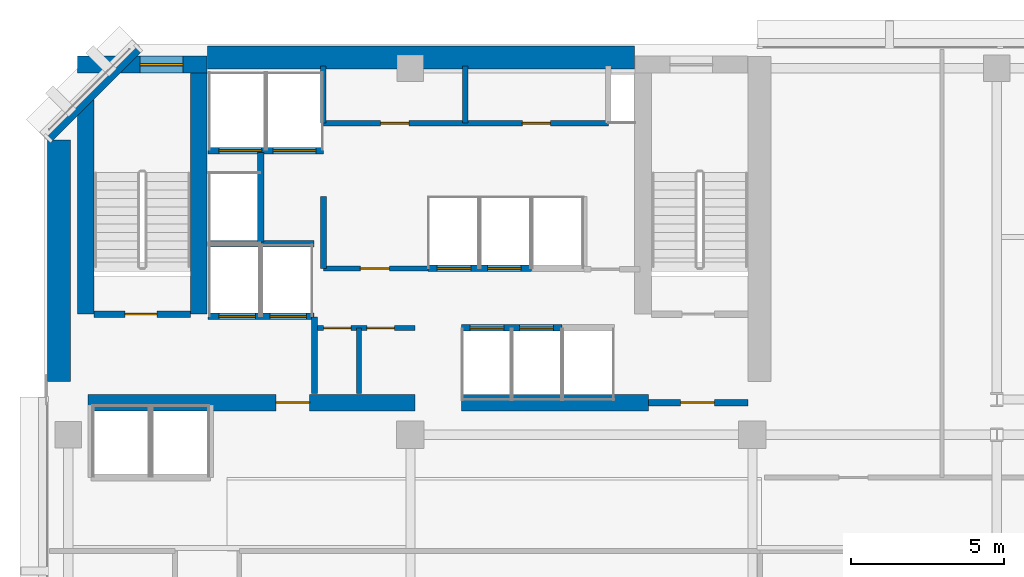
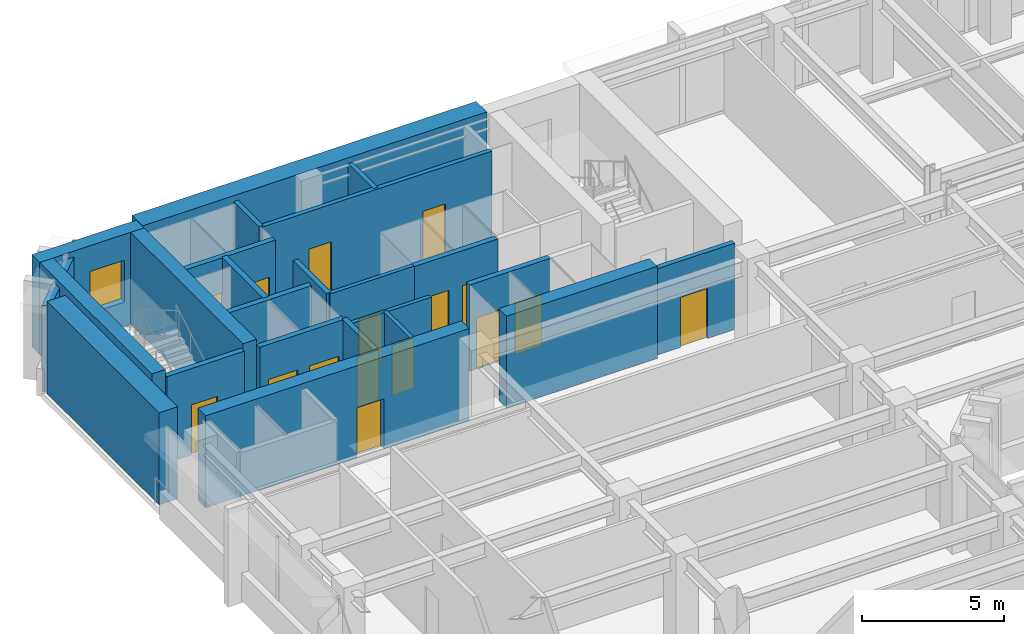
# One storey, part 7 of 11: 24 walls, 16 doors, 1 window, 17 openings.
"""IFC4 building model written with IfcOpenShell, lengths in metres."""

from ifc_helpers import new_model, si_unit, direction, frame, frame_2d, origin, place, context, subcontext, project, spatial, rectangle, extrude, material, layer, layer_set, type_object, element, fill, save


model = new_model("IFC4")

# Units and contexts
model_context = context("Model", 3, precision=1e-05, world=origin(), true_north=direction((0.0, 1.0)))
body_context = subcontext(model_context, "Body", "Model", "MODEL_VIEW")
ifc_project = project(units=[si_unit("LENGTHUNIT", "METRE"), si_unit("AREAUNIT", "SQUARE_METRE"), si_unit("VOLUMEUNIT", "CUBIC_METRE"), si_unit("PLANEANGLEUNIT", "RADIAN"), si_unit("MASSUNIT", "GRAM", prefix="KILO")], contexts=[model_context])

# Site, building, storey
site_placement = place(None, origin())
site = spatial("IfcSite", under=ifc_project, at=site_placement, CompositionType="ELEMENT")
building_placement = place(site_placement, origin())
building = spatial("IfcBuilding", under=site, at=building_placement, Name="Kefirva Bronze Tower", CompositionType="ELEMENT")
storey_placement = place(building_placement, frame((0.0, 0.0, 138.929931640625)))
storey = spatial("IfcBuildingStorey", under=building, at=storey_placement, Name="L33", CompositionType="ELEMENT", Elevation=138.929931640625)

# Wall, opening, door
ifc_material_1 = material(Name="Gypsum fireboard shaftwall")
ifc_layer_1 = layer(ifc_material_1, 0.219970703125, Name="Gypsum fireboard shaftwall")
ifc_layer_set_1 = layer_set([ifc_layer_1], Name="Gypsum fireboard shaftwall")
wall_type_1 = type_object("IfcWallType", Name="Fire-Rated Shaft Enclosure Wall 220mm", PredefinedType="PARTITIONING", material=ifc_layer_set_1)
wall_1_placement = place(storey_placement, frame((1.64990234375, 37.14990234375, 0.0), z_axis=(0.0, 0.0, 1.0), x_axis=(1.0, 0.0, 0.0)))
wall_1 = element("IfcWall", 1, at=wall_1_placement, inside=storey, type_object=wall_type_1, Name="L33 Partition W-L33-ST1S", PredefinedType="PARTITIONING", context=body_context, shape_type="SweptSolid", body=[
    extrude(rectangle(XDim=3.150146484375, YDim=0.219970703125, at=frame_2d((1.5751953125, 0.0))), origin(), (0.0, 0.0, 1.0), 3.7099609375),
])
opening_1_placement = place(wall_1_placement, frame((2.050048828125, 0.0, 0.0), z_axis=(0.0, 0.0, 1.0), x_axis=(-1.0, 0.0, 0.0)))
opening_1 = element("IfcOpeningElement", 2, at=opening_1_placement, cuts=wall_1, Name="Opening L33-D001", PredefinedType="OPENING", context=body_context, shape_type="SweptSolid", body=[
    extrude(rectangle(XDim=1.050048828125, YDim=2.14990234375, at=frame_2d((0.52490234375, 1.074951171875))), frame((0.0, 0.1201171875, 0.0), z_axis=(0.0, -1.0, 0.0), x_axis=(1.0, 0.0, 0.0)), (0.0, 0.0, 1.0), 0.239990234375),
])
ifc_material_2 = material(Name="Painted galvanized steel", Category="steel")
door_type_1 = type_object("IfcDoorType", Name="Fire Stair Enclosure Door 1050x2150 FD90S", OperationType="NOTDEFINED", PredefinedType="DOOR", material=ifc_material_2)
door_1_placement = place(opening_1_placement, origin())
door_1 = element("IfcDoor", 3, at=door_1_placement, inside=storey, type_object=door_type_1, Name="Door L33-D001", OperationType="SINGLE_SWING_LEFT", OverallHeight=2.14990234375, OverallWidth=1.050048828125, PredefinedType="DOOR", context=body_context, shape_type="SweptSolid", body=[
    extrude(rectangle(XDim=1.050048828125, YDim=2.14990234375, at=frame_2d((0.52490234375, 1.074951171875))), frame((0.0, 0.02490234375, 0.0), z_axis=(0.0, -1.0, 0.0), x_axis=(1.0, 0.0, 0.0)), (0.0, 0.0, 1.0), 0.050048828125),
])
fill(opening_1, door_1)

# Wall, openings, doors
wall_2_placement = place(storey_placement, frame((5.3798828125, 37.080078125, 0.0), z_axis=(0.0, 0.0, 1.0), x_axis=(1.0, 0.0, 0.0)))
wall_2 = element("IfcWall", 4, at=wall_2_placement, inside=storey, type_object=wall_type_1, Name="L33 Partition W-L33-FFS", PredefinedType="PARTITIONING", context=body_context, shape_type="SweptSolid", body=[
    extrude(rectangle(XDim=3.460205078125, YDim=0.219970703125, at=frame_2d((1.72998046875, 0.0))), origin(), (0.0, 0.0, 1.0), 3.7099609375),
])
opening_2_placement = place(wall_2_placement, frame((1.550048828125, 0.0, 0.0), z_axis=(0.0, 0.0, 1.0), x_axis=(-1.0, 0.0, 0.0)))
opening_2 = element("IfcOpeningElement", 5, at=opening_2_placement, cuts=wall_2, Name="Opening L33-LD-FF1", PredefinedType="OPENING", context=body_context, shape_type="SweptSolid", body=[
    extrude(rectangle(XDim=1.199951171875, YDim=2.199951171875, at=frame_2d((0.60009765625, 1.10009765625))), frame((0.0, 0.1201171875, 0.0), z_axis=(0.0, -1.0, 0.0), x_axis=(1.0, 0.0, 0.0)), (0.0, 0.0, 1.0), 0.239990234375),
])
opening_3_placement = place(wall_2_placement, frame((3.219970703125, 0.0, 0.0), z_axis=(0.0, 0.0, 1.0), x_axis=(-1.0, 0.0, 0.0)))
opening_3 = element("IfcOpeningElement", 6, at=opening_3_placement, cuts=wall_2, Name="Opening L33-LD-FF2", PredefinedType="OPENING", context=body_context, shape_type="SweptSolid", body=[
    extrude(rectangle(XDim=1.199951171875, YDim=2.199951171875, at=frame_2d((0.60009765625, 1.10009765625))), frame((0.0, 0.1201171875, 0.0), z_axis=(0.0, -1.0, 0.0), x_axis=(1.0, 0.0, 0.0)), (0.0, 0.0, 1.0), 0.239990234375),
])
ifc_material_3 = material(Name="Stainless steel 316", Category="steel")
door_type_2 = type_object("IfcDoorType", Name="Firefighting Lift Sliding Door 1200x2200", OperationType="SLIDING_TO_RIGHT", PredefinedType="DOOR", material=ifc_material_3)
door_2_placement = place(opening_2_placement, origin())
door_2 = element("IfcDoor", 7, at=door_2_placement, inside=storey, type_object=door_type_2, Name="Door L33-LD-FF1", OperationType="SLIDING_TO_RIGHT", OverallHeight=2.199951171875, OverallWidth=1.199951171875, PredefinedType="DOOR", context=body_context, shape_type="SweptSolid", body=[
    extrude(rectangle(XDim=1.199951171875, YDim=2.199951171875, at=frame_2d((0.60009765625, 1.10009765625))), frame((0.0, 0.02490234375, 0.0), z_axis=(0.0, -1.0, 0.0), x_axis=(1.0, 0.0, 0.0)), (0.0, 0.0, 1.0), 0.050048828125),
])
fill(opening_2, door_2)
door_3_placement = place(opening_3_placement, origin())
door_3 = element("IfcDoor", 8, at=door_3_placement, inside=storey, type_object=door_type_2, Name="Door L33-LD-FF2", OperationType="SLIDING_TO_RIGHT", OverallHeight=2.199951171875, OverallWidth=1.199951171875, PredefinedType="DOOR", context=body_context, shape_type="SweptSolid", body=[
    extrude(rectangle(XDim=1.199951171875, YDim=2.199951171875, at=frame_2d((0.60009765625, 1.10009765625))), frame((0.0, 0.02490234375, 0.0), z_axis=(0.0, -1.0, 0.0), x_axis=(1.0, 0.0, 0.0)), (0.0, 0.0, 1.0), 0.050048828125),
])
fill(opening_3, door_3)

# Wall
wall_3_placement = place(storey_placement, frame((5.3798828125, 39.449951171875, 0.0), z_axis=(0.0, 0.0, 1.0), x_axis=(1.0, 0.0, 0.0)))
element("IfcWall", 9, at=wall_3_placement, inside=storey, type_object=wall_type_1, Name="L33 Partition W-L33-FFN", PredefinedType="PARTITIONING", context=body_context, shape_type="SweptSolid", body=[
    extrude(rectangle(XDim=3.460205078125, YDim=0.219970703125, at=frame_2d((1.72998046875, 0.0))), origin(), (0.0, 0.0, 1.0), 3.7099609375),
])

# Wall, openings, doors
wall_4_placement = place(storey_placement, frame((5.3798828125, 42.5, 0.0), z_axis=(0.0, 0.0, 1.0), x_axis=(1.0, 0.0, 0.0)))
wall_4 = element("IfcWall", 10, at=wall_4_placement, inside=storey, type_object=wall_type_1, Name="L33 Partition W-L33-SVS", PredefinedType="PARTITIONING", context=body_context, shape_type="SweptSolid", body=[
    extrude(rectangle(XDim=3.77001953125, YDim=0.219970703125, at=frame_2d((1.885009765625, 0.0))), origin(), (0.0, 0.0, 1.0), 3.7099609375),
])
opening_4_placement = place(wall_4_placement, frame((1.75, 0.0, 0.0), z_axis=(0.0, 0.0, 1.0), x_axis=(-1.0, 0.0, 0.0)))
opening_4 = element("IfcOpeningElement", 11, at=opening_4_placement, cuts=wall_4, Name="Opening L33-LD-SV1", PredefinedType="OPENING", context=body_context, shape_type="SweptSolid", body=[
    extrude(rectangle(XDim=1.39990234375, YDim=2.199951171875, at=frame_2d((0.699951171875, 1.10009765625))), frame((0.0, 0.1201171875, 0.0), z_axis=(0.0, -1.0, 0.0), x_axis=(1.0, 0.0, 0.0)), (0.0, 0.0, 1.0), 0.239990234375),
])
opening_5_placement = place(wall_4_placement, frame((3.52978515625, 0.0, 0.0), z_axis=(0.0, 0.0, 1.0), x_axis=(-1.0, 0.0, 0.0)))
opening_5 = element("IfcOpeningElement", 12, at=opening_5_placement, cuts=wall_4, Name="Opening L33-LD-SV2", PredefinedType="OPENING", context=body_context, shape_type="SweptSolid", body=[
    extrude(rectangle(XDim=1.39990234375, YDim=2.199951171875, at=frame_2d((0.699951171875, 1.10009765625))), frame((0.0, 0.1201171875, 0.0), z_axis=(0.0, -1.0, 0.0), x_axis=(1.0, 0.0, 0.0)), (0.0, 0.0, 1.0), 0.239990234375),
])
door_type_3 = type_object("IfcDoorType", Name="Goods Lift Bi-Parting Sliding Door 1400x2200", OperationType="SLIDING_TO_LEFT", PredefinedType="DOOR", material=ifc_material_3)
door_4_placement = place(opening_4_placement, origin())
door_4 = element("IfcDoor", 13, at=door_4_placement, inside=storey, type_object=door_type_3, Name="Door L33-LD-SV1", OperationType="SLIDING_TO_LEFT", OverallHeight=2.199951171875, OverallWidth=1.39990234375, PredefinedType="DOOR", context=body_context, shape_type="SweptSolid", body=[
    extrude(rectangle(XDim=1.39990234375, YDim=2.199951171875, at=frame_2d((0.699951171875, 1.10009765625))), frame((0.0, 0.02490234375, 0.0), z_axis=(0.0, -1.0, 0.0), x_axis=(1.0, 0.0, 0.0)), (0.0, 0.0, 1.0), 0.050048828125),
])
fill(opening_4, door_4)
door_5_placement = place(opening_5_placement, origin())
door_5 = element("IfcDoor", 14, at=door_5_placement, inside=storey, type_object=door_type_3, Name="Door L33-LD-SV2", OperationType="SLIDING_TO_LEFT", OverallHeight=2.199951171875, OverallWidth=1.39990234375, PredefinedType="DOOR", context=body_context, shape_type="SweptSolid", body=[
    extrude(rectangle(XDim=1.39990234375, YDim=2.199951171875, at=frame_2d((0.699951171875, 1.10009765625))), frame((0.0, 0.02490234375, 0.0), z_axis=(0.0, -1.0, 0.0), x_axis=(1.0, 0.0, 0.0)), (0.0, 0.0, 1.0), 0.050048828125),
])
fill(opening_5, door_5)

# Walls
wall_5_placement = place(storey_placement, frame((7.10009765625, 39.52001953125, 0.0), z_axis=(0.0, 0.0, 1.0), x_axis=(0.0, 1.0, 0.0)))
element("IfcWall", 15, at=wall_5_placement, inside=storey, type_object=wall_type_1, Name="L33 Partition W-L33-HP3E", PredefinedType="PARTITIONING", context=body_context, shape_type="SweptSolid", body=[
    extrude(rectangle(XDim=2.929931640625, YDim=0.219970703125, at=frame_2d((1.46484375, 0.0))), origin(), (0.0, 0.0, 1.0), 3.7099609375),
])
wall_6_placement = place(storey_placement, frame((9.159912109375, 38.64990234375, 0.0), z_axis=(0.0, 0.0, 1.0), x_axis=(0.0, 1.0, 0.0)))
element("IfcWall", 16, at=wall_6_placement, inside=storey, type_object=wall_type_1, Name="L33 Partition W-L33-LP3W", PredefinedType="PARTITIONING", context=body_context, shape_type="SweptSolid", body=[
    extrude(rectangle(XDim=2.35009765625, YDim=0.199951171875, at=frame_2d((1.175048828125, 0.0))), origin(), (0.0, 0.0, 1.0), 3.7099609375),
])

# Wall, openings, doors
wall_7_placement = place(storey_placement, frame((13.679931640625, 36.699951171875, 0.0), z_axis=(0.0, 0.0, 1.0), x_axis=(1.0, 0.0, 0.0)))
wall_7 = element("IfcWall", 17, at=wall_7_placement, inside=storey, type_object=wall_type_1, Name="L33 Partition W-L33-MPS", PredefinedType="PARTITIONING", context=body_context, shape_type="SweptSolid", body=[
    extrude(rectangle(XDim=3.280029296875, YDim=0.219970703125, at=frame_2d((1.64013671875, 0.0))), origin(), (0.0, 0.0, 1.0), 3.7099609375),
])
opening_6_placement = place(wall_7_placement, frame((0.280029296875, 0.0, 0.0)))
opening_6 = element("IfcOpeningElement", 18, at=opening_6_placement, cuts=wall_7, Name="Opening L33-LD-MP1", PredefinedType="OPENING", context=body_context, shape_type="SweptSolid", body=[
    extrude(rectangle(XDim=1.10009765625, YDim=2.199951171875, at=frame_2d((0.550048828125, 1.10009765625))), frame((0.0, 0.1201171875, 0.0), z_axis=(0.0, -1.0, 0.0), x_axis=(1.0, 0.0, 0.0)), (0.0, 0.0, 1.0), 0.239990234375),
])
opening_7_placement = place(wall_7_placement, frame((1.89990234375, 0.0, 0.0)))
opening_7 = element("IfcOpeningElement", 19, at=opening_7_placement, cuts=wall_7, Name="Opening L33-LD-MP2", PredefinedType="OPENING", context=body_context, shape_type="SweptSolid", body=[
    extrude(rectangle(XDim=1.10009765625, YDim=2.199951171875, at=frame_2d((0.550048828125, 1.10009765625))), frame((0.0, 0.1201171875, 0.0), z_axis=(0.0, -1.0, 0.0), x_axis=(1.0, 0.0, 0.0)), (0.0, 0.0, 1.0), 0.239990234375),
])
door_type_4 = type_object("IfcDoorType", Name="Passenger Lift Sliding Landing Door 1100x2200", OperationType="SLIDING_TO_LEFT", PredefinedType="DOOR", material=ifc_material_3)
door_6_placement = place(opening_6_placement, origin())
door_6 = element("IfcDoor", 20, at=door_6_placement, inside=storey, type_object=door_type_4, Name="Door L33-LD-MP1", OperationType="SLIDING_TO_RIGHT", OverallHeight=2.199951171875, OverallWidth=1.10009765625, PredefinedType="DOOR", context=body_context, shape_type="SweptSolid", body=[
    extrude(rectangle(XDim=1.10009765625, YDim=2.199951171875, at=frame_2d((0.550048828125, 1.10009765625))), frame((0.0, 0.02490234375, 0.0), z_axis=(0.0, -1.0, 0.0), x_axis=(1.0, 0.0, 0.0)), (0.0, 0.0, 1.0), 0.050048828125),
])
fill(opening_6, door_6)
door_7_placement = place(opening_7_placement, origin())
door_7 = element("IfcDoor", 21, at=door_7_placement, inside=storey, type_object=door_type_4, Name="Door L33-LD-MP2", OperationType="SLIDING_TO_RIGHT", OverallHeight=2.199951171875, OverallWidth=1.10009765625, PredefinedType="DOOR", context=body_context, shape_type="SweptSolid", body=[
    extrude(rectangle(XDim=1.10009765625, YDim=2.199951171875, at=frame_2d((0.550048828125, 1.10009765625))), frame((0.0, 0.02490234375, 0.0), z_axis=(0.0, -1.0, 0.0), x_axis=(1.0, 0.0, 0.0)), (0.0, 0.0, 1.0), 0.050048828125),
])
fill(opening_7, door_7)

wall_8_placement = place(storey_placement, frame((12.580078125, 38.64990234375, 0.0), z_axis=(0.0, 0.0, 1.0), x_axis=(1.0, 0.0, 0.0)))
wall_8 = element("IfcWall", 22, at=wall_8_placement, inside=storey, type_object=wall_type_1, Name="L33 Partition W-L33-MPN", PredefinedType="PARTITIONING", context=body_context, shape_type="SweptSolid", body=[
    extrude(rectangle(XDim=3.3798828125, YDim=0.219970703125, at=frame_2d((1.68994140625, 0.0))), origin(), (0.0, 0.0, 1.0), 3.7099609375),
])
opening_8_placement = place(wall_8_placement, frame((0.300048828125, 0.0, 0.0)))
opening_8 = element("IfcOpeningElement", 23, at=opening_8_placement, cuts=wall_8, Name="Opening L33-LD-MP3", PredefinedType="OPENING", context=body_context, shape_type="SweptSolid", body=[
    extrude(rectangle(XDim=1.10009765625, YDim=2.199951171875, at=frame_2d((0.550048828125, 1.10009765625))), frame((0.0, 0.1201171875, 0.0), z_axis=(0.0, -1.0, 0.0), x_axis=(1.0, 0.0, 0.0)), (0.0, 0.0, 1.0), 0.239990234375),
])
opening_9_placement = place(wall_8_placement, frame((1.949951171875, 0.0, 0.0)))
opening_9 = element("IfcOpeningElement", 24, at=opening_9_placement, cuts=wall_8, Name="Opening L33-LD-MP4", PredefinedType="OPENING", context=body_context, shape_type="SweptSolid", body=[
    extrude(rectangle(XDim=1.10009765625, YDim=2.199951171875, at=frame_2d((0.550048828125, 1.10009765625))), frame((0.0, 0.1201171875, 0.0), z_axis=(0.0, -1.0, 0.0), x_axis=(1.0, 0.0, 0.0)), (0.0, 0.0, 1.0), 0.239990234375),
])
door_8_placement = place(opening_8_placement, origin())
door_8 = element("IfcDoor", 25, at=door_8_placement, inside=storey, type_object=door_type_4, Name="Door L33-LD-MP3", OperationType="SLIDING_TO_RIGHT", OverallHeight=2.199951171875, OverallWidth=1.10009765625, PredefinedType="DOOR", context=body_context, shape_type="SweptSolid", body=[
    extrude(rectangle(XDim=1.10009765625, YDim=2.199951171875, at=frame_2d((0.550048828125, 1.10009765625))), frame((0.0, 0.02490234375, 0.0), z_axis=(0.0, -1.0, 0.0), x_axis=(1.0, 0.0, 0.0)), (0.0, 0.0, 1.0), 0.050048828125),
])
fill(opening_8, door_8)
door_9_placement = place(opening_9_placement, origin())
door_9 = element("IfcDoor", 26, at=door_9_placement, inside=storey, type_object=door_type_4, Name="Door L33-LD-MP4", OperationType="SLIDING_TO_RIGHT", OverallHeight=2.199951171875, OverallWidth=1.10009765625, PredefinedType="DOOR", context=body_context, shape_type="SweptSolid", body=[
    extrude(rectangle(XDim=1.10009765625, YDim=2.199951171875, at=frame_2d((0.550048828125, 1.10009765625))), frame((0.0, 0.02490234375, 0.0), z_axis=(0.0, -1.0, 0.0), x_axis=(1.0, 0.0, 0.0)), (0.0, 0.0, 1.0), 0.050048828125),
])
fill(opening_9, door_9)

# Wall
ifc_material_4 = material(Name="Gypsum fireboard barrier")
ifc_layer_2 = layer(ifc_material_4, 0.199951171875, Name="Gypsum fireboard barrier")
ifc_layer_set_2 = layer_set([ifc_layer_2], Name="Gypsum fireboard barrier")
wall_type_2 = type_object("IfcWallType", Name="Firefighting Lobby Barrier Wall 200mm", PredefinedType="PARTITIONING", material=ifc_layer_set_2)
wall_9_placement = place(storey_placement, frame((8.860107421875, 34.550048828125, 0.0), z_axis=(0.0, 0.0, 1.0), x_axis=(0.0, 1.0, 0.0)))
element("IfcWall", 27, at=wall_9_placement, inside=storey, type_object=wall_type_2, Name="L33 Partition W-L33-FFLE", PredefinedType="PARTITIONING", context=body_context, shape_type="SweptSolid", body=[
    extrude(rectangle(XDim=2.5, YDim=0.199951171875, at=frame_2d((1.25, 0.0))), origin(), (0.0, 0.0, 1.0), 3.7099609375),
])

# Wall, opening, door
wall_10_placement = place(storey_placement, frame((19.800048828125, 34.25, 0.0), z_axis=(0.0, 0.0, 1.0), x_axis=(1.0, 0.0, 0.0)))
wall_10 = element("IfcWall", 28, at=wall_10_placement, inside=storey, type_object=wall_type_2, Name="L33 Partition W-L33-ST2F", PredefinedType="PARTITIONING", context=body_context, shape_type="SweptSolid", body=[
    extrude(rectangle(XDim=3.25, YDim=0.199951171875, at=frame_2d((1.625, 0.0))), origin(), (0.0, 0.0, 1.0), 3.7099609375),
])
opening_10_placement = place(wall_10_placement, frame((2.150146484375, 0.0, 0.0), z_axis=(0.0, 0.0, 1.0), x_axis=(-1.0, 0.0, 0.0)))
opening_10 = element("IfcOpeningElement", 29, at=opening_10_placement, cuts=wall_10, Name="Opening L33-D004", PredefinedType="OPENING", context=body_context, shape_type="SweptSolid", body=[
    extrude(rectangle(XDim=1.10009765625, YDim=2.14990234375, at=frame_2d((0.550048828125, 1.074951171875))), frame((0.0, 0.10986328125, 0.0), z_axis=(0.0, -1.0, 0.0), x_axis=(1.0, 0.0, 0.0)), (0.0, 0.0, 1.0), 0.219970703125),
])
door_type_5 = type_object("IfcDoorType", Name="Firefighting Lobby Smoke Door 1100x2150 FD60S", OperationType="NOTDEFINED", PredefinedType="DOOR", material=ifc_material_2)
door_10_placement = place(opening_10_placement, origin())
door_10 = element("IfcDoor", 30, at=door_10_placement, inside=storey, type_object=door_type_5, Name="Door L33-D004", OperationType="SINGLE_SWING_RIGHT", OverallHeight=2.14990234375, OverallWidth=1.10009765625, PredefinedType="DOOR", context=body_context, shape_type="SweptSolid", body=[
    extrude(rectangle(XDim=1.10009765625, YDim=2.14990234375, at=frame_2d((0.550048828125, 1.074951171875))), frame((0.0, 0.02490234375, 0.0), z_axis=(0.0, -1.0, 0.0), x_axis=(1.0, 0.0, 0.0)), (0.0, 0.0, 1.0), 0.050048828125),
])
fill(opening_10, door_10)

# Wall
ifc_material_5 = material(Name="Precast concrete C40/50", Category="concrete")
ifc_layer_3 = layer(ifc_material_5, 0.320068359375, Name="Precast concrete C40/50")
ifc_layer_set_3 = layer_set([ifc_layer_3], Name="Precast concrete C40/50")
wall_type_3 = type_object("IfcWallType", Name="Precast Insulated Exterior Wall 320mm", PredefinedType="SOLIDWALL", material=ifc_layer_set_3)
wall_11_placement = place(storey_placement, frame((3.07421875, 45.847900390625, 0.0), z_axis=(0.0, 0.0, 1.0), x_axis=(-0.707106781187, -0.707106781187, 0.0)))
element("IfcWall", 31, at=wall_11_placement, inside=storey, type_object=wall_type_3, Name="L33 Exterior Facade Wall 5", PredefinedType="SOLIDWALL", context=body_context, shape_type="SweptSolid", body=[
    extrude(rectangle(XDim=4.132568359375, YDim=0.320068359375, at=frame_2d((2.06640625, 0.0))), origin(), (0.0, 0.0, 1.0), 3.7099609375),
])

# Wall, openings, doors
ifc_material_6 = material(Name="Gypsum acoustic partition")
ifc_layer_4 = layer(ifc_material_6, 0.159912109375, Name="Gypsum acoustic partition")
ifc_layer_set_4 = layer_set([ifc_layer_4], Name="Gypsum acoustic partition")
wall_type_4 = type_object("IfcWallType", Name="Protected Corridor Partition 160mm", PredefinedType="PARTITIONING", material=ifc_layer_set_4)
wall_12_placement = place(storey_placement, frame((8.89990234375, 36.699951171875, 0.0), z_axis=(0.0, 0.0, 1.0), x_axis=(1.0, 0.0, 0.0)))
wall_12 = element("IfcWall", 32, at=wall_12_placement, inside=storey, type_object=wall_type_4, Name="L33 Partition W-L33-RECLP1", PredefinedType="PARTITIONING", context=body_context, shape_type="SweptSolid", body=[
    extrude(rectangle(XDim=3.25, YDim=0.159912109375, at=frame_2d((1.625, 0.0))), origin(), (0.0, 0.0, 1.0), 3.7099609375),
])
opening_11_placement = place(wall_12_placement, frame((0.260009765625, 0.0, 0.0)))
opening_11 = element("IfcOpeningElement", 33, at=opening_11_placement, cuts=wall_12, Name="Opening L33-D-RECLP1A", PredefinedType="OPENING", context=body_context, shape_type="SweptSolid", body=[
    extrude(rectangle(XDim=0.89990234375, YDim=2.14990234375, at=frame_2d((0.449951171875, 1.074951171875))), frame((0.0, 0.08984375, 0.0), z_axis=(0.0, -1.0, 0.0), x_axis=(1.0, 0.0, 0.0)), (0.0, 0.0, 1.0), 0.179931640625),
])
opening_12_placement = place(wall_12_placement, frame((1.679931640625, 0.0, 0.0)))
opening_12 = element("IfcOpeningElement", 34, at=opening_12_placement, cuts=wall_12, Name="Opening L33-D-RECLP1B", PredefinedType="OPENING", context=body_context, shape_type="SweptSolid", body=[
    extrude(rectangle(XDim=0.89990234375, YDim=2.14990234375, at=frame_2d((0.449951171875, 1.074951171875))), frame((0.0, 0.08984375, 0.0), z_axis=(0.0, -1.0, 0.0), x_axis=(1.0, 0.0, 0.0)), (0.0, 0.0, 1.0), 0.179931640625),
])
door_type_6 = type_object("IfcDoorType", Name="Core Archive & Server Fire Door 900x2150 FD60S", OperationType="NOTDEFINED", PredefinedType="DOOR", material=ifc_material_2)
door_11_placement = place(opening_11_placement, origin())
door_11 = element("IfcDoor", 35, at=door_11_placement, inside=storey, type_object=door_type_6, Name="Door L33-D-RECLP1A", OperationType="SINGLE_SWING_RIGHT", OverallHeight=2.14990234375, OverallWidth=0.89990234375, PredefinedType="DOOR", context=body_context, shape_type="SweptSolid", body=[
    extrude(rectangle(XDim=0.89990234375, YDim=2.14990234375, at=frame_2d((0.449951171875, 1.074951171875))), frame((0.0, 0.02490234375, 0.0), z_axis=(0.0, -1.0, 0.0), x_axis=(1.0, 0.0, 0.0)), (0.0, 0.0, 1.0), 0.050048828125),
])
fill(opening_11, door_11)
door_12_placement = place(opening_12_placement, origin())
door_12 = element("IfcDoor", 36, at=door_12_placement, inside=storey, type_object=door_type_6, Name="Door L33-D-RECLP1B", OperationType="SINGLE_SWING_LEFT", OverallHeight=2.14990234375, OverallWidth=0.89990234375, PredefinedType="DOOR", context=body_context, shape_type="SweptSolid", body=[
    extrude(rectangle(XDim=0.89990234375, YDim=2.14990234375, at=frame_2d((0.449951171875, 1.074951171875))), frame((0.0, 0.02490234375, 0.0), z_axis=(0.0, -1.0, 0.0), x_axis=(1.0, 0.0, 0.0)), (0.0, 0.0, 1.0), 0.050048828125),
])
fill(opening_12, door_12)

# Wall
wall_13_placement = place(storey_placement, frame((10.320068359375, 34.550048828125, 0.0), z_axis=(0.0, 0.0, 1.0), x_axis=(0.0, 1.0, 0.0)))
element("IfcWall", 37, at=wall_13_placement, inside=storey, type_object=wall_type_4, Name="L33 Partition W-L33-RECLP1D", PredefinedType="PARTITIONING", context=body_context, shape_type="SweptSolid", body=[
    extrude(rectangle(XDim=2.14990234375, YDim=0.159912109375, at=frame_2d((1.074951171875, 0.0))), origin(), (0.0, 0.0, 1.0), 3.7099609375),
])

# Wall, opening, door
wall_14_placement = place(storey_placement, frame((9.159912109375, 38.64990234375, 0.0), z_axis=(0.0, 0.0, 1.0), x_axis=(1.0, 0.0, 0.0)))
wall_14 = element("IfcWall", 38, at=wall_14_placement, inside=storey, type_object=wall_type_4, Name="L33 Partition W-L33-RECLP2", PredefinedType="PARTITIONING", context=body_context, shape_type="SweptSolid", body=[
    extrude(rectangle(XDim=3.420166015625, YDim=0.159912109375, at=frame_2d((1.7099609375, 0.0))), origin(), (0.0, 0.0, 1.0), 3.7099609375),
])
opening_13_placement = place(wall_14_placement, frame((2.14990234375, 0.0, 0.0), z_axis=(0.0, 0.0, 1.0), x_axis=(-1.0, 0.0, 0.0)))
opening_13 = element("IfcOpeningElement", 39, at=opening_13_placement, cuts=wall_14, Name="Opening L33-D-RECLP2", PredefinedType="OPENING", context=body_context, shape_type="SweptSolid", body=[
    extrude(rectangle(XDim=0.949951171875, YDim=2.14990234375, at=frame_2d((0.47509765625, 1.074951171875))), frame((0.0, 0.08984375, 0.0), z_axis=(0.0, -1.0, 0.0), x_axis=(1.0, 0.0, 0.0)), (0.0, 0.0, 1.0), 0.179931640625),
])
ifc_material_7 = material(Name="Acoustic hardwood oak", Category="wood")
door_type_7 = type_object("IfcDoorType", Name="Office & Meeting Room Door 950x2150", OperationType="NOTDEFINED", PredefinedType="DOOR", material=ifc_material_7)
door_13_placement = place(opening_13_placement, origin())
door_13 = element("IfcDoor", 40, at=door_13_placement, inside=storey, type_object=door_type_7, Name="Door L33-D-RECLP2", OperationType="SINGLE_SWING_RIGHT", OverallHeight=2.14990234375, OverallWidth=0.949951171875, PredefinedType="DOOR", context=body_context, shape_type="SweptSolid", body=[
    extrude(rectangle(XDim=0.949951171875, YDim=2.14990234375, at=frame_2d((0.47509765625, 1.074951171875))), frame((0.0, 0.02490234375, 0.0), z_axis=(0.0, -1.0, 0.0), x_axis=(1.0, 0.0, 0.0)), (0.0, 0.0, 1.0), 0.050048828125),
])
fill(opening_13, door_13)

# Wall, opening, window
ifc_material_8 = material(Name="Concrete C50/60", Category="concrete")
ifc_layer_5 = layer(ifc_material_8, 0.550048828125, Name="Concrete C50/60")
ifc_layer_set_5 = layer_set([ifc_layer_5], Name="Concrete C50/60")
wall_type_5 = type_object("IfcWallType", Name="RC Rear Core Exterior Wall 550mm", PredefinedType="SHEAR", material=ifc_layer_set_5)
wall_15_placement = place(storey_placement, frame((1.10009765625, 45.320068359375, 0.0), z_axis=(0.0, 0.0, 1.0), x_axis=(1.0, 0.0, 0.0)))
wall_15 = element("IfcWall", 41, at=wall_15_placement, inside=storey, type_object=wall_type_5, Name="L33 Stair 1 North Shear Wall", PredefinedType="SHEAR", context=body_context, shape_type="SweptSolid", body=[
    extrude(rectangle(XDim=4.239990234375, YDim=0.550048828125, at=frame_2d((2.1201171875, 0.0))), origin(), (0.0, 0.0, 1.0), 3.9599609375),
])
opening_14_placement = place(wall_15_placement, frame((2.050048828125, 0.0, 1.050048828125)))
opening_14 = element("IfcOpeningElement", 42, at=opening_14_placement, cuts=wall_15, Name="Opening WN-03", PredefinedType="OPENING", context=body_context, shape_type="SweptSolid", body=[
    extrude(rectangle(XDim=1.39990234375, YDim=1.800048828125, at=frame_2d((0.699951171875, 0.89990234375))), frame((0.0, 0.28515625, 0.0), z_axis=(0.0, -1.0, 0.0), x_axis=(1.0, 0.0, 0.0)), (0.0, 0.0, 1.0), 0.570068359375),
])
ifc_material_9 = material(Name="Laminated low-E double glazing", Category="glass")
window_type = type_object("IfcWindowType", Name="Rear-Core Stair Daylight Window 1400x1800", PartitioningType="SINGLE_PANEL", PredefinedType="WINDOW", material=ifc_material_9)
window_placement = place(opening_14_placement, origin())
window = element("IfcWindow", 43, at=window_placement, inside=storey, type_object=window_type, Name="L33 Stair 1 Daylight Window", OverallHeight=1.800048828125, OverallWidth=1.39990234375, PartitioningType="SINGLE_PANEL", PredefinedType="WINDOW", context=body_context, shape_type="SweptSolid", body=[
    extrude(rectangle(XDim=1.39990234375, YDim=1.800048828125, at=frame_2d((0.699951171875, 0.89990234375))), frame((0.0, 0.030029296875, 0.0), z_axis=(0.0, -1.0, 0.0), x_axis=(1.0, 0.0, 0.0)), (0.0, 0.0, 1.0), 0.06005859375),
])
fill(opening_14, window)

# Walls
ifc_material_10 = material(Name="Concrete C60/75", Category="concrete")
ifc_layer_6 = layer(ifc_material_10, 0.75, Name="Concrete C60/75")
ifc_layer_set_6 = layer_set([ifc_layer_6], Name="Concrete C60/75")
wall_type_6 = type_object("IfcWallType", Name="RC Rear Core Exterior Wall 750mm", PredefinedType="SHEAR", material=ifc_layer_set_6)
wall_16_placement = place(storey_placement, frame((5.360107421875, 45.550048828125, 0.0), z_axis=(0.0, 0.0, 1.0), x_axis=(1.0, 0.0, 0.0)))
element("IfcWall", 44, at=wall_16_placement, inside=storey, type_object=wall_type_6, Name="L33 Rear Core North Shear Wall", PredefinedType="SHEAR", context=body_context, shape_type="SweptSolid", body=[
    extrude(rectangle(XDim=13.97998046875, YDim=0.75, at=frame_2d((6.989990234375, 0.0))), origin(), (0.0, 0.0, 1.0), 3.9599609375),
])
wall_17_placement = place(storey_placement, frame((0.5, 34.949951171875, 0.0), z_axis=(0.0, 0.0, 1.0), x_axis=(0.0, 1.0, 0.0)))
element("IfcWall", 45, at=wall_17_placement, inside=storey, type_object=wall_type_6, Name="L33 Rear Core West Shear Wall", PredefinedType="SHEAR", context=body_context, shape_type="SweptSolid", body=[
    extrude(rectangle(XDim=7.900146484375, YDim=0.75, at=frame_2d((3.9501953125, 0.0))), origin(), (0.0, 0.0, 1.0), 3.9599609375),
])
ifc_layer_7 = layer(ifc_material_8, 0.550048828125, Name="Concrete C50/60")
ifc_layer_set_7 = layer_set([ifc_layer_7], Name="Concrete C50/60")
wall_type_7 = type_object("IfcWallType", Name="RC Rear Core Interior Wall 550mm", PredefinedType="SHEAR", material=ifc_layer_set_7)
for number, where, z_axis, x_axis, name in (
    (46, (1.3701171875, 37.14990234375, 0.0), (0.0, 0.0, 1.0), (0.0, 1.0, 0.0), "L33 Stair 1 West Shear Wall"),
    (47, (5.070068359375, 37.14990234375, 0.0), (0.0, 0.0, 1.0), (0.0, 1.0, 0.0), "L33 Stair 1 East Shear Wall"),
):
    element("IfcWall", number, at=place(storey_placement, frame(where, z_axis=z_axis, x_axis=x_axis)), inside=storey, type_object=wall_type_7, Name=name, PredefinedType="SHEAR", context=body_context, shape_type="SweptSolid", body=[
        extrude(rectangle(XDim=7.89013671875, YDim=0.550048828125, at=frame_2d((3.945068359375, 0.0))), origin(), (0.0, 0.0, 1.0), 3.9599609375),
    ])

# Wall, opening, door
ifc_layer_8 = layer(ifc_material_10, 0.75, Name="Concrete C60/75")
ifc_layer_set_8 = layer_set([ifc_layer_8], Name="Concrete C60/75")
wall_type_8 = type_object("IfcWallType", Name="RC Rear Core Interior Wall 750mm", PredefinedType="SHEAR", material=ifc_layer_set_8)
wall_18_placement = place(storey_placement, frame((1.449951171875, 34.25, 0.0), z_axis=(0.0, 0.0, 1.0), x_axis=(1.0, 0.0, 0.0)))
wall_18 = element("IfcWall", 48, at=wall_18_placement, inside=storey, type_object=wall_type_8, Name="L33 Rear Core South-West Shear Wall", PredefinedType="SHEAR", context=body_context, shape_type="SweptSolid", body=[
    extrude(rectangle(XDim=10.7099609375, YDim=0.550048828125, at=frame_2d((5.35498046875, 0.0))), origin(), (0.0, 0.0, 1.0), 3.9599609375),
])
opening_15_placement = place(wall_18_placement, frame((7.25, 0.0, 0.0), z_axis=(0.0, 0.0, 1.0), x_axis=(-1.0, 0.0, 0.0)))
opening_15 = element("IfcOpeningElement", 49, at=opening_15_placement, cuts=wall_18, Name="Opening L33-D002", PredefinedType="OPENING", context=body_context, shape_type="SweptSolid", body=[
    extrude(rectangle(XDim=1.10009765625, YDim=2.14990234375, at=frame_2d((0.550048828125, 1.074951171875))), frame((0.0, 0.28515625, 0.0), z_axis=(0.0, -1.0, 0.0), x_axis=(1.0, 0.0, 0.0)), (0.0, 0.0, 1.0), 0.570068359375),
])
door_14_placement = place(opening_15_placement, origin())
door_14 = element("IfcDoor", 50, at=door_14_placement, inside=storey, type_object=door_type_5, Name="Door L33-D002", OperationType="SINGLE_SWING_RIGHT", OverallHeight=2.14990234375, OverallWidth=1.10009765625, PredefinedType="DOOR", context=body_context, shape_type="SweptSolid", body=[
    extrude(rectangle(XDim=1.10009765625, YDim=2.14990234375, at=frame_2d((0.550048828125, 1.074951171875))), frame((0.0, 0.02490234375, 0.0), z_axis=(0.0, -1.0, 0.0), x_axis=(1.0, 0.0, 0.0)), (0.0, 0.0, 1.0), 0.050048828125),
])
fill(opening_15, door_14)

# Wall
wall_19_placement = place(storey_placement, frame((13.679931640625, 34.25, 0.0), z_axis=(0.0, 0.0, 1.0), x_axis=(1.0, 0.0, 0.0)))
element("IfcWall", 51, at=wall_19_placement, inside=storey, type_object=wall_type_8, Name="L33 Rear Core South-East Shear Wall", PredefinedType="SHEAR", context=body_context, shape_type="SweptSolid", body=[
    extrude(rectangle(XDim=6.1201171875, YDim=0.550048828125, at=frame_2d((3.06005859375, 0.0))), origin(), (0.0, 0.0, 1.0), 3.9599609375),
])

# Wall, openings, doors
ifc_material_11 = material(Name="Moisture-resistant partition")
ifc_layer_9 = layer(ifc_material_11, 0.179931640625, Name="Moisture-resistant partition")
ifc_layer_set_9 = layer_set([ifc_layer_9], Name="Moisture-resistant partition")
wall_type_9 = type_object("IfcWallType", Name="Sanitary Plumbing Chase Wall 180mm", PredefinedType="PLUMBINGWALL", material=ifc_layer_set_9)
wall_20_placement = place(storey_placement, frame((9.14990234375, 43.39990234375, 0.0), z_axis=(0.0, 0.0, 1.0), x_axis=(1.0, 0.0, 0.0)))
wall_20 = element("IfcWall", 52, at=wall_20_placement, inside=storey, type_object=wall_type_9, Name="L33 Partition W-L33-SVCS", PredefinedType="PLUMBINGWALL", context=body_context, shape_type="SweptSolid", body=[
    extrude(rectangle(XDim=9.330078125, YDim=0.179931640625, at=frame_2d((4.6650390625, 0.0))), origin(), (0.0, 0.0, 1.0), 3.7099609375),
])
opening_16_placement = place(wall_20_placement, frame((1.8798828125, 0.0, 0.0)))
opening_16 = element("IfcOpeningElement", 53, at=opening_16_placement, cuts=wall_20, Name="Opening L33-D-CSVC1", PredefinedType="OPENING", context=body_context, shape_type="SweptSolid", body=[
    extrude(rectangle(XDim=0.919921875, YDim=2.10009765625, at=frame_2d((0.4599609375, 1.050048828125))), frame((0.0, 0.10009765625, 0.0), z_axis=(0.0, -1.0, 0.0), x_axis=(1.0, 0.0, 0.0)), (0.0, 0.0, 1.0), 0.199951171875),
])
opening_17_placement = place(wall_20_placement, frame((6.514892578125, 0.0, 0.0)))
opening_17 = element("IfcOpeningElement", 54, at=opening_17_placement, cuts=wall_20, Name="Opening L33-D-CSVC2", PredefinedType="OPENING", context=body_context, shape_type="SweptSolid", body=[
    extrude(rectangle(XDim=0.919921875, YDim=2.10009765625, at=frame_2d((0.4599609375, 1.050048828125))), frame((0.0, 0.10009765625, 0.0), z_axis=(0.0, -1.0, 0.0), x_axis=(1.0, 0.0, 0.0)), (0.0, 0.0, 1.0), 0.199951171875),
])
ifc_material_12 = material(Name="Moisture-resistant timber", Category="wood")
door_type_8 = type_object("IfcDoorType", Name="Accessible Sanitary & WC Door 920x2100", OperationType="NOTDEFINED", PredefinedType="DOOR", material=ifc_material_12)
door_15_placement = place(opening_16_placement, origin())
door_15 = element("IfcDoor", 55, at=door_15_placement, inside=storey, type_object=door_type_8, Name="Door L33-D-CSVC1", OperationType="SINGLE_SWING_LEFT", OverallHeight=2.10009765625, OverallWidth=0.919921875, PredefinedType="DOOR", context=body_context, shape_type="SweptSolid", body=[
    extrude(rectangle(XDim=0.919921875, YDim=2.10009765625, at=frame_2d((0.4599609375, 1.050048828125))), frame((0.0, 0.02490234375, 0.0), z_axis=(0.0, -1.0, 0.0), x_axis=(1.0, 0.0, 0.0)), (0.0, 0.0, 1.0), 0.050048828125),
])
fill(opening_16, door_15)
door_16_placement = place(opening_17_placement, origin())
door_16 = element("IfcDoor", 56, at=door_16_placement, inside=storey, type_object=door_type_8, Name="Door L33-D-CSVC2", OperationType="SINGLE_SWING_RIGHT", OverallHeight=2.10009765625, OverallWidth=0.919921875, PredefinedType="DOOR", context=body_context, shape_type="SweptSolid", body=[
    extrude(rectangle(XDim=0.919921875, YDim=2.10009765625, at=frame_2d((0.4599609375, 1.050048828125))), frame((0.0, 0.02490234375, 0.0), z_axis=(0.0, -1.0, 0.0), x_axis=(1.0, 0.0, 0.0)), (0.0, 0.0, 1.0), 0.050048828125),
])
fill(opening_17, door_16)

# Walls
for number, where, z_axis, x_axis, name in (
    (57, (9.14990234375, 43.39990234375, 0.0), (0.0, 0.0, 1.0), (0.0, 1.0, 0.0), "L33 Partition W-L33-SVCW"),
    (58, (13.800048828125, 43.39990234375, 0.0), (0.0, 0.0, 1.0), (0.0, 1.0, 0.0), "L33 Partition W-L33-CSVD-1"),
):
    element("IfcWall", number, at=place(storey_placement, frame(where, z_axis=z_axis, x_axis=x_axis)), inside=storey, type_object=wall_type_9, Name=name, PredefinedType="PLUMBINGWALL", context=body_context, shape_type="SweptSolid", body=[
        extrude(rectangle(XDim=1.880126953125, YDim=0.179931640625, at=frame_2d((0.93994140625, 0.0))), origin(), (0.0, 0.0, 1.0), 3.7099609375),
    ])

save(model, "model.ifc")
